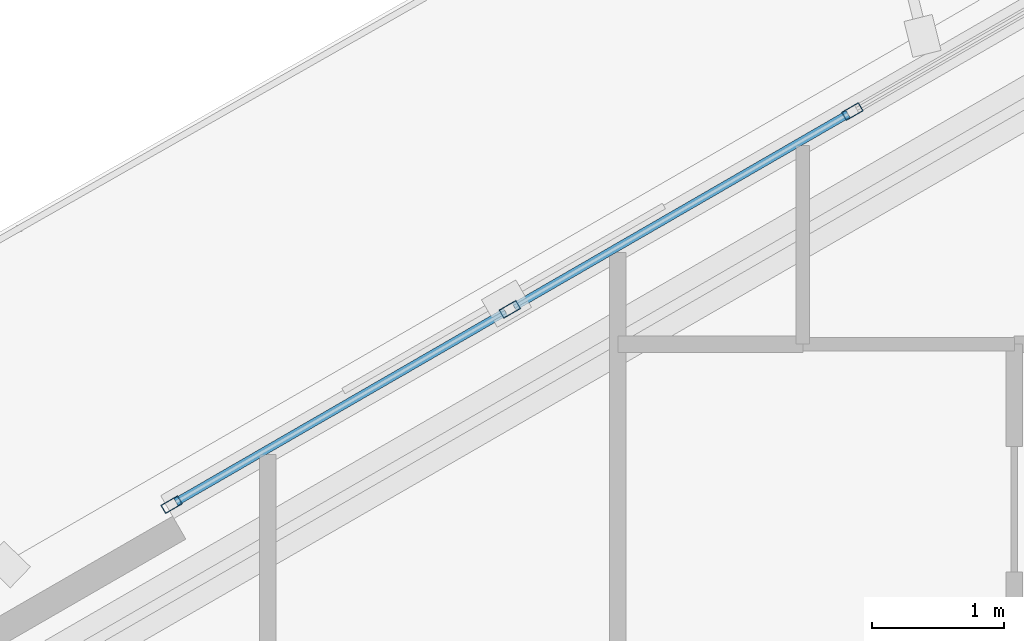
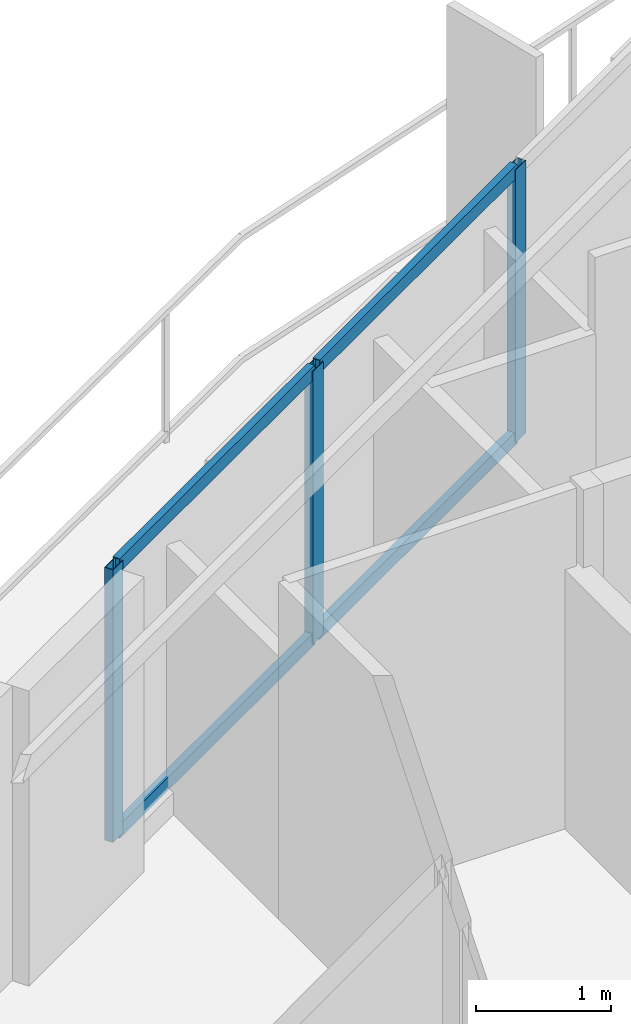
# One storey, part 7 of 18: 7 members, 1 element without a shape of its own.
"""IFC4 building model written with IfcOpenShell, lengths in metres."""

import ifcopenshell
import ifcopenshell.guid

model = None  # the IFC model being written
_history = None  # IfcOwnerHistory: only IFC2X3 demands one
_inside = {}  # id of a spatial element -> (the spatial element, [elements in it])
_under = {}  # id of a project, library or spatial element -> (it, [spatial elements below it])
_declared = {}  # id of a project -> (the project, [libraries it declares])
_typed = {}  # id of a type object -> (the type object, [elements of that type])
_made_of = {}  # id of a material, layer set ... -> (it, [elements and type objects made of it])


def new_model(schema):
    """Start an empty IFC model of exactly this schema.

    Asked for "IFC4X3", IfcOpenShell would pick the latest addendum, in which some entities
    have other attributes; the version numbers below select the first issue.
    IFC2X3 requires an IfcOwnerHistory on every rooted entity: one is made here for all.
    """
    global model, _history
    if schema == "IFC4X3":
        model = ifcopenshell.file(schema_version=(4, 3, 0, 0))
    else:
        model = ifcopenshell.file(schema=schema)
    _inside.clear()
    _under.clear()
    _declared.clear()
    _typed.clear()
    _made_of.clear()
    _history = None
    if model.schema == "IFC2X3":
        org = make("IfcOrganization", Name="unknown")
        user = make(
            "IfcPersonAndOrganization",
            ThePerson=make("IfcPerson", FamilyName="unknown"),
            TheOrganization=org,
        )
        app = make(
            "IfcApplication",
            ApplicationDeveloper=org,
            Version="unknown",
            ApplicationFullName="unknown",
            ApplicationIdentifier="unknown",
        )
        _history = make(
            "IfcOwnerHistory",
            OwningUser=user,
            OwningApplication=app,
            ChangeAction="ADDED",
            CreationDate=0,
        )
    return model


def make(cls, **values):
    """One entity of the class cls with the attributes given. An attribute that is None is left unset."""
    return model.create_entity(
        cls, **{name: value for name, value in values.items() if value is not None}
    )


def rooted(cls, **values):
    """An entity with a GlobalId (a new one), such as an element, a storey or a relation."""
    return make(cls, GlobalId=ifcopenshell.guid.new(), OwnerHistory=_history, **values)


def si_unit(unit_type, name, prefix=None):
    """IfcSIUnit, for example si_unit("LENGTHUNIT", "METRE", prefix="MILLI")."""
    return make("IfcSIUnit", UnitType=unit_type, Prefix=prefix, Name=name)


def assignment(units):
    """IfcUnitAssignment: the units of a project."""
    return None if units is None else make("IfcUnitAssignment", Units=units)


def point(xyz):
    """IfcCartesianPoint."""
    return None if xyz is None else make("IfcCartesianPoint", Coordinates=xyz)


def direction(xyz):
    """IfcDirection."""
    return None if xyz is None else make("IfcDirection", DirectionRatios=xyz)


def frame(location, z_axis=None, x_axis=None):
    """IfcAxis2Placement3D, a coordinate frame: its origin and axes. An axis left out is left unset."""
    return make(
        "IfcAxis2Placement3D",
        Location=point(location),
        Axis=direction(z_axis),
        RefDirection=direction(x_axis),
    )


def frame_2d(location, x_axis=None):
    """IfcAxis2Placement2D, a coordinate frame in the plane: its origin and x axis."""
    return make(
        "IfcAxis2Placement2D", Location=point(location), RefDirection=direction(x_axis)
    )


def origin():
    """The frame at (0, 0, 0) with its axes left unset."""
    return frame((0.0, 0.0, 0.0))


def origin_2d():
    """The frame at (0, 0) in the plane with its x axis left unset."""
    return frame_2d((0.0, 0.0))


def place(relative_to, where):
    """IfcLocalPlacement: puts the frame where relative to a parent placement (None: the world)."""
    return make(
        "IfcLocalPlacement", PlacementRelTo=relative_to, RelativePlacement=where
    )


def context(
    kind, dimensions, precision=None, world=None, true_north=None, identifier=None
):
    """IfcGeometricRepresentationContext, for example the 3D "Model" context."""
    return make(
        "IfcGeometricRepresentationContext",
        ContextIdentifier=identifier,
        ContextType=kind,
        CoordinateSpaceDimension=dimensions,
        Precision=precision,
        WorldCoordinateSystem=world,
        TrueNorth=true_north,
    )


def subcontext(parent, identifier, kind, view, scale=None):
    """IfcGeometricRepresentationSubContext, for example "Body" below "Model"."""
    return make(
        "IfcGeometricRepresentationSubContext",
        ContextIdentifier=identifier,
        ContextType=kind,
        ParentContext=parent,
        TargetScale=scale,
        TargetView=view,
    )


def project(units=None, contexts=None):
    """IfcProject with its units and contexts."""
    return rooted(
        "IfcProject",
        Name="project",
        RepresentationContexts=contexts,
        UnitsInContext=assignment(units),
    )


def spatial(cls, under=None, at=None, **own):
    """A site, building, storey or space (cls), placed at a placement, below another one or the project."""
    s = rooted(cls, ObjectPlacement=at, **own)
    if under is not None:
        _under.setdefault(under.id(), (under, []))[1].append(s)
    return s


def profile(cls, at=None, kind="AREA", **sizes):
    """A parametric profile (cls). Its sizes go by their IFC names, for example OverallWidth=200.0."""
    return make(cls, ProfileType=kind, Position=at, **sizes)


def hollow_rectangle(**sizes):
    """IfcRectangleHollowProfileDef."""
    return profile("IfcRectangleHollowProfileDef", **sizes)


def extrude(swept, where, along, depth):
    """IfcExtrudedAreaSolid: the profile swept, set in the frame where, extruded along a direction by depth."""
    return make(
        "IfcExtrudedAreaSolid",
        SweptArea=swept,
        Position=where,
        ExtrudedDirection=direction(along),
        Depth=depth,
    )


def shape(context_of_items, identifier, shape_type, items):
    """IfcShapeRepresentation: the items that make up one representation, for example the "Body"."""
    return make(
        "IfcShapeRepresentation",
        ContextOfItems=context_of_items,
        RepresentationIdentifier=identifier,
        RepresentationType=shape_type,
        Items=items,
    )


def material(Name=None, Category=None):
    """IfcMaterial."""
    return make("IfcMaterial", Name=Name, Category=Category)


def layer(
    of_material, thickness, ventilated=None, Name=None, Category=None, Priority=None
):
    """IfcMaterialLayer: one layer of a wall or slab, of a material (None: an air gap)."""
    return make(
        "IfcMaterialLayer",
        Material=of_material,
        LayerThickness=thickness,
        IsVentilated=ventilated,
        Name=Name,
        Category=Category,
        Priority=Priority,
    )


def layer_set(layers, Name=None):
    """IfcMaterialLayerSet."""
    return make("IfcMaterialLayerSet", MaterialLayers=layers, LayerSetName=Name)


def material_profile(
    of_material, cross_section, Name=None, Category=None, Priority=None
):
    """IfcMaterialProfile: a cross section and its material."""
    return make(
        "IfcMaterialProfile",
        Name=Name,
        Material=of_material,
        Profile=cross_section,
        Priority=Priority,
        Category=Category,
    )


def profile_set(profiles, Name=None, composite=None):
    """IfcMaterialProfileSet."""
    return make(
        "IfcMaterialProfileSet",
        Name=Name,
        MaterialProfiles=profiles,
        CompositeProfile=composite,
    )


def made_of(thing, what):
    """Note that an element or type object is made of a material, layer set ...; save() writes the relation."""
    if what is not None:
        _made_of.setdefault(what.id(), (what, []))[1].append(thing)
    return thing


def type_object(cls, material=None, **own):
    """A type object (cls), such as IfcWallType, which elements share."""
    return made_of(rooted(cls, **own), material)


def element(
    cls,
    number,
    at=None,
    inside=None,
    cuts=None,
    type_object=None,
    material=None,
    context=None,
    identifier="Body",
    shape_type=None,
    held_by="IfcProductDefinitionShape",
    body=None,
    shapes=None,
    **own,
):
    """One element of the class cls, such as IfcWall. Its Tag is "e" and its number.

    at: its placement. inside: the storey or other place that contains it. cuts: it is an
    opening in that element (IfcRelVoidsElement). A single representation is given by context,
    identifier, shape_type and body (its items); several are given by shapes. held_by: the class
    of the entity that holds the representations. save() writes the other relations.
    """
    e = rooted(cls, Tag="e%d" % number, ObjectPlacement=at, **own)
    if body is not None:
        shapes = [shape(context, identifier, shape_type, body)]
    if shapes is not None:
        e.Representation = make(held_by, Representations=shapes)
    if inside is not None:
        _inside.setdefault(inside.id(), (inside, []))[1].append(e)
    if cuts is not None:
        rooted(
            "IfcRelVoidsElement", RelatingBuildingElement=cuts, RelatedOpeningElement=e
        )
    if type_object is not None:
        _typed.setdefault(type_object.id(), (type_object, []))[1].append(e)
    return made_of(e, material)


def aggregate(whole, parts):
    """IfcRelAggregates: a whole, such as a stair, and the parts it consists of."""
    return rooted("IfcRelAggregates", RelatingObject=whole, RelatedObjects=parts)


def save(model, path):
    """Write the relations noted so far, then the file.

    IfcRelAggregates (storeys below a building ...), IfcRelContainedInSpatialStructure (elements
    in a storey), IfcRelDefinesByType, IfcRelAssociatesMaterial and IfcRelDeclares: one each for
    every whole, place, type object, material and project.
    """
    for whole, parts in _under.values():
        aggregate(whole, parts)
    for where, things in _inside.values():
        rooted(
            "IfcRelContainedInSpatialStructure",
            RelatedElements=things,
            RelatingStructure=where,
        )
    for kind, things in _typed.values():
        rooted("IfcRelDefinesByType", RelatedObjects=things, RelatingType=kind)
    for what, things in _made_of.values():
        rooted("IfcRelAssociatesMaterial", RelatedObjects=things, RelatingMaterial=what)
    for by, libraries in _declared.values():
        rooted("IfcRelDeclares", RelatingContext=by, RelatedDefinitions=libraries)
    model.write(path)


model = new_model("IFC4")

# Units and contexts
model_context = context("Model", 3, precision=1e-05, world=origin(), true_north=direction((0.0, 1.0)))
body_context = subcontext(model_context, "Body", "Model", "MODEL_VIEW")
ifc_project = project(units=[si_unit("LENGTHUNIT", "METRE"), si_unit("AREAUNIT", "SQUARE_METRE"), si_unit("VOLUMEUNIT", "CUBIC_METRE"), si_unit("PLANEANGLEUNIT", "RADIAN"), si_unit("MASSUNIT", "GRAM", prefix="KILO")], contexts=[model_context])

# Site, building, storey
site_placement = place(None, origin())
site = spatial("IfcSite", under=ifc_project, at=site_placement, CompositionType="ELEMENT")
building_placement = place(site_placement, origin())
building = spatial("IfcBuilding", under=site, at=building_placement, Name="Mersakhor Tower and Convention Hall", CompositionType="ELEMENT")
storey_placement = place(building_placement, frame((0.0, 0.0, 39.0)))
storey = spatial("IfcBuildingStorey", under=building, at=storey_placement, Name="L10", CompositionType="ELEMENT", Elevation=39.0)

# Curtain wall, members
ifc_material_1 = material(Name="Dark solar low-E aluminium curtain wall", Category="aluminium")
ifc_layer = layer(ifc_material_1, 0.159912109375)
ifc_layer_set = layer_set([ifc_layer], Name="Dark solar low-E aluminium curtain wall")
curtain_wall_type = type_object("IfcCurtainWallType", Name="CW-SYS-01", PredefinedType="USERDEFINED", material=ifc_layer_set)
curtain_wall_placement = place(storey_placement, origin())
curtain_wall = element("IfcCurtainWall", 1, at=curtain_wall_placement, inside=storey, type_object=curtain_wall_type, Name="L10 Dark-Glass Curtain Wall F1-B2", ObjectType="CURTAIN WALL", PredefinedType="USERDEFINED")
ifc_material_2 = material(Name="Anodised aluminium EN AW-6063 T6", Category="aluminium")
ifc_material_profile_1 = material_profile(ifc_material_2, hollow_rectangle(XDim=0.074951171875, YDim=0.14990234375, WallThickness=0.00634765625, at=origin_2d()), Name="RHS 150x75x6.3")
ifc_profile_set_1 = profile_set([ifc_material_profile_1], Name="Anodised aluminium EN AW-6063 T6")
member_type_1 = type_object("IfcMemberType", Name="CWM-150x75", PredefinedType="MULLION", material=ifc_profile_set_1)
member_1_placement = place(storey_placement, frame((16.423095703125, 36.635986328125, 0.199951171875), z_axis=(0.0, 0.0, 1.0), x_axis=(-0.50000344889, 0.866023412558, 0.0)))
member_1 = element("IfcMember", 2, at=member_1_placement, type_object=member_type_1, Name="CW-01 mullion 1", PredefinedType="MULLION", context=body_context, shape_type="SweptSolid", body=[
    extrude(hollow_rectangle(XDim=0.074951171875, YDim=0.14990234375, WallThickness=0.00634765625, at=origin_2d()), origin(), (0.0, 0.0, 1.0), 2.4599609375),
])
member_2_placement = place(storey_placement, frame((18.982666015625, 38.11376953125, 0.199951171875), z_axis=(0.0, 0.0, 1.0), x_axis=(-0.50000344889, 0.866023412558, 0.0)))
member_2 = element("IfcMember", 3, at=member_2_placement, type_object=member_type_1, Name="CW-01 mullion 2", PredefinedType="MULLION", context=body_context, shape_type="SweptSolid", body=[
    extrude(hollow_rectangle(XDim=0.074951171875, YDim=0.14990234375, WallThickness=0.00634765625, at=origin_2d()), origin(), (0.0, 0.0, 1.0), 2.4599609375),
])
member_3_placement = place(storey_placement, frame((21.574951171875, 39.610595703125, 0.199951171875), z_axis=(0.0, 0.0, 1.0), x_axis=(-0.50000344889, 0.866023412558, 0.0)))
member_3 = element("IfcMember", 4, at=member_3_placement, type_object=member_type_1, Name="CW-01 mullion 3", PredefinedType="MULLION", context=body_context, shape_type="SweptSolid", body=[
    extrude(hollow_rectangle(XDim=0.074951171875, YDim=0.14990234375, WallThickness=0.00634765625, at=origin_2d()), origin(), (0.0, 0.0, 1.0), 2.4599609375),
])
ifc_material_3 = material(Name="Anodised aluminium EN AW-6063 T6", Category="aluminium")
ifc_material_profile_2 = material_profile(ifc_material_3, hollow_rectangle(XDim=0.06005859375, YDim=0.1201171875, WallThickness=0.0048828125, at=origin_2d()), Name="RHS 120x60x5")
ifc_profile_set_2 = profile_set([ifc_material_profile_2], Name="Anodised aluminium EN AW-6063 T6")
member_type_2 = type_object("IfcMemberType", Name="CWT-120x60", PredefinedType="USERDEFINED", material=ifc_profile_set_2)
member_4_placement = place(storey_placement, frame((16.45556640625, 36.65478515625, 0.22998046875), z_axis=(0.866002100865, 0.500040359669, 0.0), x_axis=(-0.500040359669, 0.866002100865, 0.0)))
member_4 = element("IfcMember", 5, at=member_4_placement, type_object=member_type_2, Name="CW-01 transom 1.1", ObjectType="TRANSOM", PredefinedType="USERDEFINED", context=body_context, shape_type="SweptSolid", body=[
    extrude(hollow_rectangle(XDim=0.06005859375, YDim=0.1201171875, WallThickness=0.0048828125, at=origin_2d()), origin(), (0.0, 0.0, 1.0), 2.880615234375),
])
member_5_placement = place(storey_placement, frame((16.45556640625, 36.65478515625, 2.6298828125), z_axis=(0.866002100865, 0.500040359669, 0.0), x_axis=(-0.500040359669, 0.866002100865, 0.0)))
member_5 = element("IfcMember", 6, at=member_5_placement, type_object=member_type_2, Name="CW-01 transom 1.2", ObjectType="TRANSOM", PredefinedType="USERDEFINED", context=body_context, shape_type="SweptSolid", body=[
    extrude(hollow_rectangle(XDim=0.06005859375, YDim=0.1201171875, WallThickness=0.0048828125, at=origin_2d()), origin(), (0.0, 0.0, 1.0), 2.880615234375),
])
member_6_placement = place(storey_placement, frame((19.01513671875, 38.132568359375, 0.22998046875), z_axis=(0.866015622527, 0.500016941252, 0.0), x_axis=(-0.500016941252, 0.866015622527, 0.0)))
member_6 = element("IfcMember", 7, at=member_6_placement, type_object=member_type_2, Name="CW-01 transom 2.1", ObjectType="TRANSOM", PredefinedType="USERDEFINED", context=body_context, shape_type="SweptSolid", body=[
    extrude(hollow_rectangle(XDim=0.06005859375, YDim=0.1201171875, WallThickness=0.0048828125, at=origin_2d()), origin(), (0.0, 0.0, 1.0), 2.91845703125),
])
member_7_placement = place(storey_placement, frame((19.01513671875, 38.132568359375, 2.6298828125), z_axis=(0.866015622527, 0.500016941252, 0.0), x_axis=(-0.500016941252, 0.866015622527, 0.0)))
member_7 = element("IfcMember", 8, at=member_7_placement, type_object=member_type_2, Name="CW-01 transom 2.2", ObjectType="TRANSOM", PredefinedType="USERDEFINED", context=body_context, shape_type="SweptSolid", body=[
    extrude(hollow_rectangle(XDim=0.06005859375, YDim=0.1201171875, WallThickness=0.0048828125, at=origin_2d()), origin(), (0.0, 0.0, 1.0), 2.91845703125),
])
aggregate(curtain_wall, [member_1, member_2, member_3, member_4, member_5, member_6, member_7])

save(model, "model.ifc")
